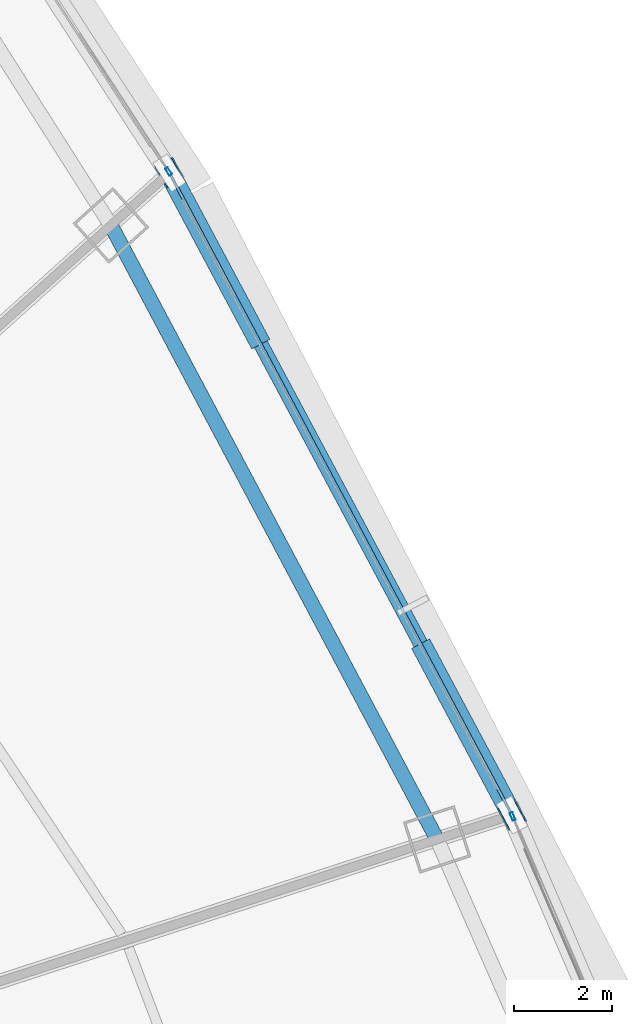
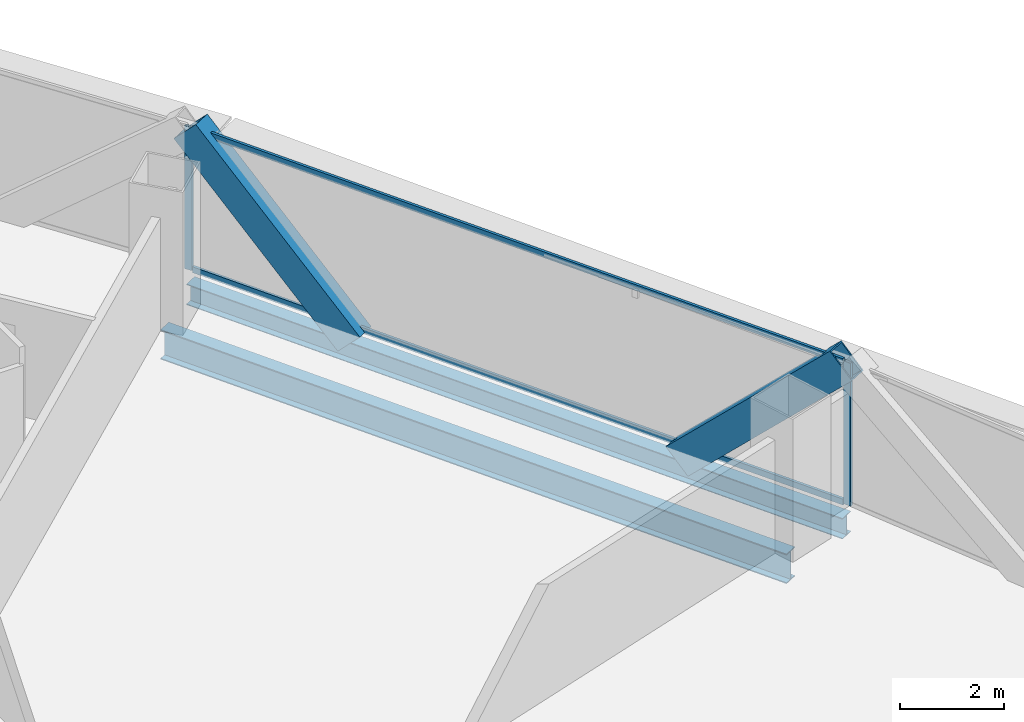
# One storey, part 25 of 42: 6 members, 2 beams, 3 elements without a shape of their own.
"""IFC4 building model written with IfcOpenShell, lengths in metres."""

from ifc_helpers import new_model, si_unit, direction, frame, origin, origin_2d, place, context, subcontext, project, spatial, hollow_rectangle, i_section, extrude, source, transform, mapped, material, layer, layer_set, material_profile, profile_set, type_object, element, aggregate, save


model = new_model("IFC4")

# Units and contexts
model_context = context("Model", 3, precision=1e-05, world=origin(), true_north=direction((0.0, 1.0)))
body_context = subcontext(model_context, "Body", "Model", "MODEL_VIEW")
ifc_project = project(units=[si_unit("LENGTHUNIT", "METRE"), si_unit("AREAUNIT", "SQUARE_METRE"), si_unit("VOLUMEUNIT", "CUBIC_METRE"), si_unit("PLANEANGLEUNIT", "RADIAN"), si_unit("MASSUNIT", "GRAM", prefix="KILO"), si_unit("THERMODYNAMICTEMPERATUREUNIT", "KELVIN"), si_unit("POWERUNIT", "WATT")], contexts=[model_context])

# Site, building, storey
site_placement = place(None, origin())
site = spatial("IfcSite", under=ifc_project, at=site_placement, CompositionType="ELEMENT")
building_placement = place(site_placement, origin())
building = spatial("IfcBuilding", under=site, at=building_placement, Name="Yunzhuo Pagoda Commons", CompositionType="ELEMENT")
storey_placement = place(building_placement, frame((0.0, 0.0, 44.919921875)))
storey = spatial("IfcBuildingStorey", under=building, at=storey_placement, Name="L11", CompositionType="ELEMENT", Elevation=44.919921875)

# Beams
ifc_material_1 = material(Name="Structural steel Q355B", Category="steel")
ifc_material_profile_1 = material_profile(ifc_material_1, i_section(OverallWidth=0.300048828125, OverallDepth=0.699951171875, WebThickness=0.012939453125, FlangeThickness=0.02392578125, at=origin_2d()), Name="Structural steel Q355B")
ifc_profile_set_1 = profile_set([ifc_material_profile_1], Name="Structural steel Q355B")
beam_type_1 = type_object("IfcBeamType", Name="B-RG1 Beam HN 700x300x13x24", PredefinedType="BEAM", material=ifc_profile_set_1)
shared_shape_1 = source(origin(), body_context, "Body", "SweptSolid", [
    extrude(i_section(OverallWidth=0.300048828125, OverallDepth=0.699951171875, WebThickness=0.012939453125, FlangeThickness=0.02392578125, at=origin_2d()), origin(), (0.0, 0.0, 1.0), 14.25390625),
])
beam_1_placement = place(storey_placement, frame((80.33544921875, 44.206298828125, -0.60986328125), z_axis=(-0.469118073628, 0.883135455633, 0.0), x_axis=(-0.883135455633, -0.469118073628, 0.0)))
element("IfcBeam", 1, at=beam_1_placement, inside=storey, type_object=beam_type_1, Name="L11 column-ring beam 6", PredefinedType="BEAM", context=body_context, shape_type="MappedRepresentation", body=[
    mapped(shared_shape_1, transform((0.0, 0.0, 0.0), scale=1.0)),
])
ifc_material_profile_2 = material_profile(ifc_material_1, i_section(OverallWidth=0.300048828125, OverallDepth=0.488037109375, WebThickness=0.010986328125, FlangeThickness=0.01806640625, at=origin_2d()), Name="Structural steel Q355B")
ifc_profile_set_2 = profile_set([ifc_material_profile_2], Name="Structural steel Q355B")
beam_type_2 = type_object("IfcBeamType", Name="B-SP1 Beam HM 488x300x11x18", PredefinedType="BEAM", material=ifc_profile_set_2)
shared_shape_2 = source(origin(), body_context, "Body", "SweptSolid", [
    extrude(i_section(OverallWidth=0.300048828125, OverallDepth=0.488037109375, WebThickness=0.010986328125, FlangeThickness=0.01806640625, at=origin_2d()), origin(), (0.0, 0.0, 1.0), 14.924072265625),
])
beam_2_placement = place(storey_placement, frame((81.87158203125, 44.70556640625, -0.50390625), z_axis=(-0.470660405107, 0.882314446819, 0.0), x_axis=(-0.882314446819, -0.470660405107, 0.0)))
element("IfcBeam", 2, at=beam_2_placement, inside=storey, type_object=beam_type_2, Name="L11 facade edge spandrel beam F2.2", PredefinedType="BEAM", context=body_context, shape_type="MappedRepresentation", body=[
    mapped(shared_shape_2, transform((0.0, 0.0, 0.0), scale=1.0)),
])

# Members
ifc_material_2 = material(Name="Structural steel Q420B", Category="steel")
ifc_material_profile_3 = material_profile(ifc_material_2, hollow_rectangle(XDim=0.419921875, YDim=0.719970703125, WallThickness=0.028076171875, at=origin_2d()), Name="Structural steel Q420B")
ifc_profile_set_3 = profile_set([ifc_material_profile_3], Name="Structural steel Q420B")
member_type_1 = type_object("IfcMemberType", Name="M-DL1 Brace BOX 720x420x28", PredefinedType="BRACE", material=ifc_profile_set_3)
shared_shape_3 = source(origin(), body_context, "Body", "SweptSolid", [
    extrude(hollow_rectangle(XDim=0.419921875, YDim=0.719970703125, WallThickness=0.028076171875, at=origin_2d()), origin(), (0.0, 0.0, 1.0), 5.20556640625),
])
for number, where, z_axis, x_axis, name in (
    (3, (80.11572265625, 47.99755859375, -0.260009765625), (0.337303229454, -0.632396655445, 0.697352852997), (0.88233844975, 0.470615405711, 0.0), "L11 facade diamond brace F2.2L"),
    (4, (76.603515625, 54.581298828125, -0.260009765625), (-0.337344792298, 0.632386650821, 0.697341820754), (-0.882311277354, -0.470666346634, 0.0), "L11 facade diamond brace F2.2R"),
):
    element("IfcMember", number, at=place(storey_placement, frame(where, z_axis=z_axis, x_axis=x_axis)), inside=storey, type_object=member_type_1, Name=name, PredefinedType="BRACE", context=body_context, shape_type="MappedRepresentation", body=[
        mapped(shared_shape_3, transform((0.0, 0.0, 0.0), scale=1.0)),
    ])

# Curtain wall, member
ifc_material_3 = material(Name="Anodized aluminium 6063-T6", Category="aluminium")
ifc_layer = layer(ifc_material_3, 0.1650390625)
ifc_layer_set = layer_set([ifc_layer], Name="Anodized aluminium 6063-T6")
curtain_wall_type = type_object("IfcCurtainWallType", Name="CW-LOW Low-Zone Ribbon Curtain Wall", PredefinedType="NOTDEFINED", material=ifc_layer_set)
curtain_wall_1_placement = place(storey_placement, origin())
curtain_wall_1 = element("IfcCurtainWall", 5, at=curtain_wall_1_placement, inside=storey, type_object=curtain_wall_type, Name="L11 curtain wall CW-L11-F2B2", PredefinedType="NOTDEFINED")
ifc_material_profile_4 = material_profile(ifc_material_3, hollow_rectangle(XDim=0.06494140625, YDim=0.1650390625, WallThickness=0.00390625, at=origin_2d()), Name="Anodized aluminium 6063-T6")
ifc_profile_set_4 = profile_set([ifc_material_profile_4], Name="Anodized aluminium 6063-T6")
member_type_2 = type_object("IfcMemberType", Name="CW-LOW-M Mullion RHS 165x65x4", PredefinedType="MULLION", material=ifc_profile_set_4)
shared_shape_4 = source(origin(), body_context, "Body", "SweptSolid", [
    extrude(hollow_rectangle(XDim=0.06494140625, YDim=0.1650390625, WallThickness=0.00390625, at=origin_2d()), origin(), (0.0, 0.0, 1.0), 3.3701171875),
])
member_1_placement = place(storey_placement, frame((81.884765625, 44.67578125, 0.0), z_axis=(0.0, 0.0, 1.0), x_axis=(-0.918865619656, -0.394570618538, 0.0)))
member_1 = element("IfcMember", 6, at=member_1_placement, type_object=member_type_2, Name="CW mullion 2", PredefinedType="MULLION", context=body_context, shape_type="MappedRepresentation", body=[
    mapped(shared_shape_4, transform((0.0, 0.0, 0.0), scale=1.0)),
])
aggregate(curtain_wall_1, [member_1])

curtain_wall_2_placement = place(storey_placement, origin())
curtain_wall_2 = element("IfcCurtainWall", 7, at=curtain_wall_2_placement, inside=storey, type_object=curtain_wall_type, Name="L11 curtain wall CW-L11-F2B4", PredefinedType="NOTDEFINED")
member_2_placement = place(storey_placement, frame((74.82958984375, 57.900634765625, 0.0), z_axis=(0.0, 0.0, 1.0), x_axis=(-0.838709783089, -0.54457864423, 0.0)))
member_2 = element("IfcMember", 8, at=member_2_placement, type_object=member_type_2, Name="CW mullion 1", PredefinedType="MULLION", context=body_context, shape_type="MappedRepresentation", body=[
    mapped(shared_shape_4, transform((0.0, 0.0, 0.0), scale=1.0)),
])
aggregate(curtain_wall_2, [member_2])

# Curtain wall, members
curtain_wall_3_placement = place(storey_placement, origin())
curtain_wall_3 = element("IfcCurtainWall", 9, at=curtain_wall_3_placement, inside=storey, type_object=curtain_wall_type, Name="L11 curtain wall CW-L11-F2B3", PredefinedType="NOTDEFINED")
ifc_material_profile_5 = material_profile(ifc_material_3, hollow_rectangle(XDim=0.06005859375, YDim=0.139892578125, WallThickness=0.00341796875, at=origin_2d()), Name="Anodized aluminium 6063-T6")
ifc_profile_set_5 = profile_set([ifc_material_profile_5], Name="Anodized aluminium 6063-T6")
member_type_3 = type_object("IfcMemberType", Name="CW-LOW-T Transom RHS 140x60x3.5", PredefinedType="USERDEFINED", material=ifc_profile_set_5)
shared_shape_5 = source(origin(), body_context, "Body", "SweptSolid", [
    extrude(hollow_rectangle(XDim=0.06005859375, YDim=0.139892578125, WallThickness=0.00341796875, at=origin_2d()), origin(), (0.0, 0.0, 1.0), 14.794189453125),
])
member_3_placement = place(storey_placement, frame((81.84130859375, 44.76318359375, 0.030029296875), z_axis=(-0.470682450666, 0.882302686517, 0.0), x_axis=(-0.882302686517, -0.470682450666, 0.0)))
member_3 = element("IfcMember", 10, at=member_3_placement, type_object=member_type_3, Name="CW transom 1.1", ObjectType="TRANSOM", PredefinedType="USERDEFINED", context=body_context, shape_type="MappedRepresentation", body=[
    mapped(shared_shape_5, transform((0.0, 0.0, 0.0), scale=1.0)),
])
member_4_placement = place(storey_placement, frame((81.84130859375, 44.76318359375, 3.340087890625), z_axis=(-0.470682450666, 0.882302686517, 0.0), x_axis=(-0.882302686517, -0.470682450666, 0.0)))
member_4 = element("IfcMember", 11, at=member_4_placement, type_object=member_type_3, Name="CW transom 1.2", ObjectType="TRANSOM", PredefinedType="USERDEFINED", context=body_context, shape_type="MappedRepresentation", body=[
    mapped(shared_shape_5, transform((0.0, 0.0, 0.0), scale=1.0)),
])
aggregate(curtain_wall_3, [member_3, member_4])

save(model, "model.ifc")
